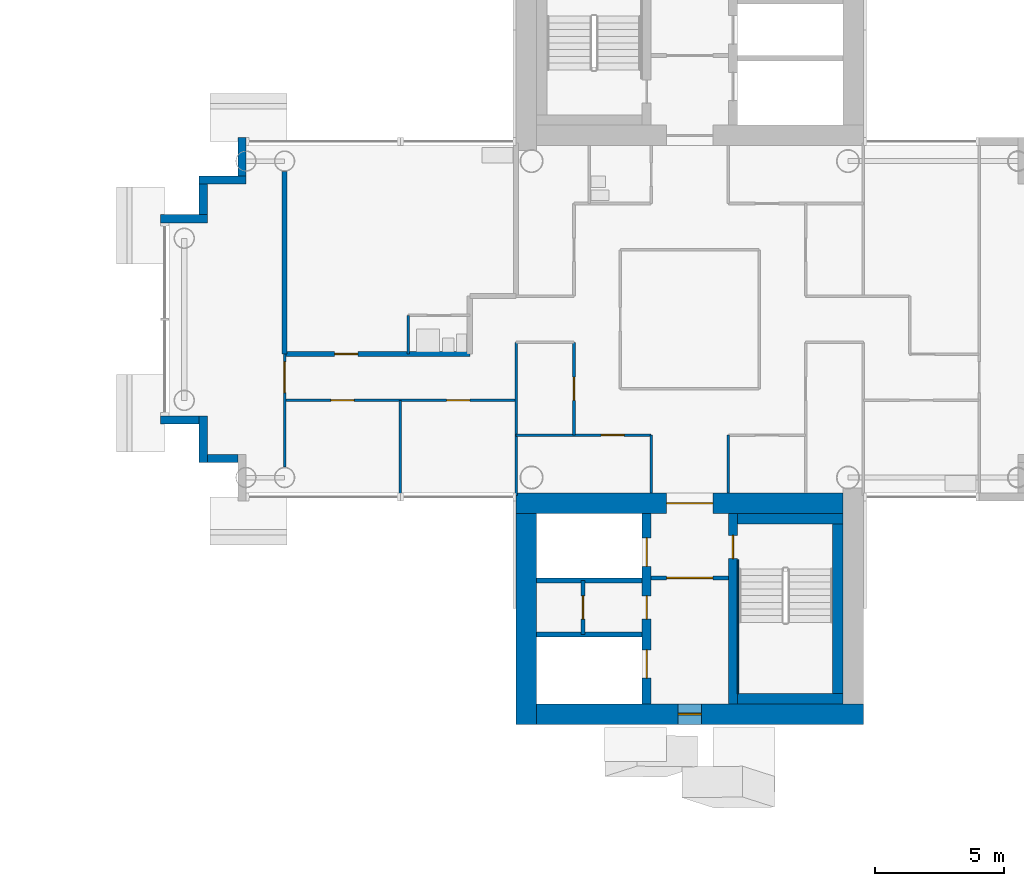
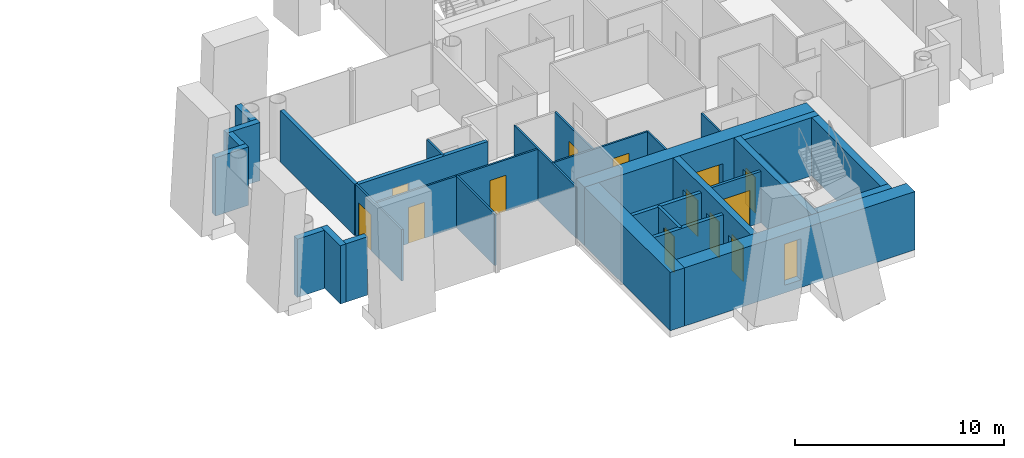
# One storey, part 9 of 18: 31 walls, 13 doors, 1 window, 14 openings.
"""IFC4 building model written with IfcOpenShell, lengths in metres."""

from ifc_helpers import new_model, si_unit, direction, frame, frame_2d, origin, place, context, subcontext, project, spatial, rectangle, extrude, material, layer, layer_set, type_object, element, fill, save


model = new_model("IFC4")

# Units and contexts
model_context = context("Model", 3, precision=1e-05, world=origin(), true_north=direction((0.0, 1.0)))
body_context = subcontext(model_context, "Body", "Model", "MODEL_VIEW")
ifc_project = project(units=[si_unit("LENGTHUNIT", "METRE"), si_unit("AREAUNIT", "SQUARE_METRE"), si_unit("VOLUMEUNIT", "CUBIC_METRE"), si_unit("PLANEANGLEUNIT", "RADIAN"), si_unit("MASSUNIT", "GRAM", prefix="KILO")], contexts=[model_context])

# Site, building, storey
site_placement = place(None, origin())
site = spatial("IfcSite", under=ifc_project, at=site_placement, CompositionType="ELEMENT")
building_placement = place(site_placement, origin())
building = spatial("IfcBuilding", under=site, at=building_placement, Name="Ipe Terrace Towers", CompositionType="ELEMENT")
storey_placement = place(building_placement, frame((0.0, 0.0, 143.89990234375)))
storey = spatial("IfcBuildingStorey", under=building, at=storey_placement, Name="L39", CompositionType="ELEMENT", Elevation=143.89990234375)

# Walls
ifc_material_1 = material(Name="Concrete C40/50 with buff precast cladding", Category="concrete")
ifc_layer_1 = layer(ifc_material_1, 0.320068359375)
ifc_layer_set_1 = layer_set([ifc_layer_1], Name="BUFF CLADDING WALL 320")
wall_type_1 = type_object("IfcWallType", Name="BUFF CLADDING WALL 320", PredefinedType="STANDARD", material=ifc_layer_set_1)
wall_1_placement = place(storey_placement, frame((18.590087890625, 7.070068359375, -0.2998046875), z_axis=(0.0, 0.0, 1.0), x_axis=(0.0, -1.0, 0.0)))
element("IfcWall", 1, at=wall_1_placement, inside=storey, type_object=wall_type_1, Name="T2-W-L39-30a wall", PredefinedType="STANDARD", context=body_context, shape_type="SweptSolid", body=[
    extrude(rectangle(XDim=1.5, YDim=0.320068359375, at=frame_2d((0.75, 0.0))), origin(), (0.0, 0.0, 1.0), 3.39990234375),
])
wall_2_placement = place(storey_placement, frame((18.75, 5.409912109375, -0.2998046875), z_axis=(0.0, 0.0, 1.0), x_axis=(-1.0, 0.0, 0.0)))
element("IfcWall", 2, at=wall_2_placement, inside=storey, type_object=wall_type_1, Name="T2-W-L39-31a wall", PredefinedType="STANDARD", context=body_context, shape_type="SweptSolid", body=[
    extrude(rectangle(XDim=1.820068359375, YDim=0.320068359375, at=frame_2d((0.91015625, 0.0))), origin(), (0.0, 0.0, 1.0), 3.39990234375),
])
wall_3_placement = place(storey_placement, frame((17.090087890625, 5.25, -0.2998046875), z_axis=(0.0, 0.0, 1.0), x_axis=(0.0, -1.0, 0.0)))
element("IfcWall", 3, at=wall_3_placement, inside=storey, type_object=wall_type_1, Name="T2-W-L39-32a wall", PredefinedType="STANDARD", context=body_context, shape_type="SweptSolid", body=[
    extrude(rectangle(XDim=1.179931640625, YDim=0.320068359375, at=frame_2d((0.58984375, 0.0))), origin(), (0.0, 0.0, 1.0), 3.39990234375),
])
wall_4_placement = place(storey_placement, frame((17.25, 3.909912109375, -0.2998046875), z_axis=(0.0, 0.0, 1.0), x_axis=(-1.0, 0.0, 0.0)))
element("IfcWall", 4, at=wall_4_placement, inside=storey, type_object=wall_type_1, Name="T2-W-L39-33a wall", PredefinedType="STANDARD", context=body_context, shape_type="SweptSolid", body=[
    extrude(rectangle(XDim=1.820068359375, YDim=0.320068359375, at=frame_2d((0.91015625, 0.0))), origin(), (0.0, 0.0, 1.0), 3.39990234375),
])
wall_5_placement = place(storey_placement, frame((15.429931640625, -3.909912109375, -0.2998046875), z_axis=(0.0, 0.0, 1.0), x_axis=(1.0, 0.0, 0.0)))
element("IfcWall", 5, at=wall_5_placement, inside=storey, type_object=wall_type_1, Name="T2-W-L39-35a wall", PredefinedType="STANDARD", context=body_context, shape_type="SweptSolid", body=[
    extrude(rectangle(XDim=1.5, YDim=0.320068359375, at=frame_2d((0.75, 0.0))), origin(), (0.0, 0.0, 1.0), 3.39990234375),
])
wall_6_placement = place(storey_placement, frame((17.090087890625, -3.75, -0.2998046875), z_axis=(0.0, 0.0, 1.0), x_axis=(0.0, -1.0, 0.0)))
element("IfcWall", 6, at=wall_6_placement, inside=storey, type_object=wall_type_1, Name="T2-W-L39-36a wall", PredefinedType="STANDARD", context=body_context, shape_type="SweptSolid", body=[
    extrude(rectangle(XDim=1.820068359375, YDim=0.320068359375, at=frame_2d((0.91015625, 0.0))), origin(), (0.0, 0.0, 1.0), 3.39990234375),
])
wall_7_placement = place(storey_placement, frame((17.25, -5.409912109375, -0.2998046875), z_axis=(0.0, 0.0, 1.0), x_axis=(1.0, 0.0, 0.0)))
element("IfcWall", 7, at=wall_7_placement, inside=storey, type_object=wall_type_1, Name="T2-W-L39-37a wall", PredefinedType="STANDARD", context=body_context, shape_type="SweptSolid", body=[
    extrude(rectangle(XDim=1.179931640625, YDim=0.320068359375, at=frame_2d((0.58984375, 0.0))), origin(), (0.0, 0.0, 1.0), 3.39990234375),
])

# Wall, opening, door
ifc_material_2 = material(Name="Gypsum board partition", Category="plasterboard")
ifc_layer_2 = layer(ifc_material_2, 0.10009765625)
ifc_layer_set_2 = layer_set([ifc_layer_2], Name="Gypsum board partition 100 mm")
wall_type_2 = type_object("IfcWallType", Name="Gypsum board partition 100 mm", PredefinedType="PARTITIONING", material=ifc_layer_set_2)
wall_8_placement = place(storey_placement, frame((34.5, -4.5, 0.0), z_axis=(0.0, 0.0, 1.0), x_axis=(-1.0, 0.0, 0.0)))
wall_8 = element("IfcWall", 8, at=wall_8_placement, inside=storey, type_object=wall_type_2, Name="Gypsum board partition T2 L39 W02", PredefinedType="PARTITIONING", context=body_context, shape_type="SweptSolid", body=[
    extrude(rectangle(XDim=5.25, YDim=0.10009765625, at=frame_2d((2.625, 0.0))), origin(), (0.0, 0.0, 1.0), 3.0),
])
opening_1_placement = place(wall_8_placement, frame((1.050048828125, 0.0, 0.0)))
opening_1 = element("IfcOpeningElement", 9, at=opening_1_placement, cuts=wall_8, Name="Opening T2-Z3B-05", PredefinedType="OPENING", context=body_context, shape_type="SweptSolid", body=[
    extrude(rectangle(XDim=0.89990234375, YDim=2.10009765625, at=frame_2d((0.449951171875, 1.050048828125))), frame((0.0, 0.06005859375, 0.0), z_axis=(0.0, -1.0, 0.0), x_axis=(1.0, 0.0, 0.0)), (0.0, 0.0, 1.0), 0.1201171875),
])
ifc_material_3 = material(Name="Timber door leaf", Category="wood")
door_type_1 = type_object("IfcDoorType", Name="Lounge door 900 x 2100", OperationType="NOTDEFINED", PredefinedType="DOOR", material=ifc_material_3)
door_1_placement = place(opening_1_placement, origin())
door_1 = element("IfcDoor", 10, at=door_1_placement, inside=storey, type_object=door_type_1, Name="Lounge door T2-Z3B-05", OperationType="SINGLE_SWING_RIGHT", OverallHeight=2.10009765625, OverallWidth=0.89990234375, PredefinedType="DOOR", context=body_context, shape_type="SweptSolid", body=[
    extrude(rectangle(XDim=0.89990234375, YDim=2.10009765625, at=frame_2d((0.449951171875, 1.050048828125))), frame((0.0, 0.02490234375, 0.0), z_axis=(0.0, -1.0, 0.0), x_axis=(1.0, 0.0, 0.0)), (0.0, 0.0, 1.0), 0.050048828125),
])
fill(opening_1, door_1)

# Wall, openings, doors
wall_9_placement = place(storey_placement, frame((29.25, -3.14990234375, 0.0), z_axis=(0.0, 0.0, 1.0), x_axis=(-1.0, 0.0, 0.0)))
wall_9 = element("IfcWall", 11, at=wall_9_placement, inside=storey, type_object=wall_type_2, Name="Gypsum board partition T2 L39 W04", PredefinedType="PARTITIONING", context=body_context, shape_type="SweptSolid", body=[
    extrude(rectangle(XDim=9.0, YDim=0.10009765625, at=frame_2d((4.5, 0.0))), origin(), (0.0, 0.0, 1.0), 3.0),
])
opening_2_placement = place(wall_9_placement, frame((1.800048828125, 0.0, 0.0)))
opening_2 = element("IfcOpeningElement", 12, at=opening_2_placement, cuts=wall_9, Name="Opening T2-Z3B-10", PredefinedType="OPENING", context=body_context, shape_type="SweptSolid", body=[
    extrude(rectangle(XDim=0.89990234375, YDim=2.10009765625, at=frame_2d((0.449951171875, 1.050048828125))), frame((0.0, 0.06005859375, 0.0), z_axis=(0.0, -1.0, 0.0), x_axis=(1.0, 0.0, 0.0)), (0.0, 0.0, 1.0), 0.1201171875),
])
opening_3_placement = place(wall_9_placement, frame((6.300048828125, 0.0, 0.0)))
opening_3 = element("IfcOpeningElement", 13, at=opening_3_placement, cuts=wall_9, Name="Opening T2-Z3B-11", PredefinedType="OPENING", context=body_context, shape_type="SweptSolid", body=[
    extrude(rectangle(XDim=0.89990234375, YDim=2.10009765625, at=frame_2d((0.449951171875, 1.050048828125))), frame((0.0, 0.06005859375, 0.0), z_axis=(0.0, -1.0, 0.0), x_axis=(1.0, 0.0, 0.0)), (0.0, 0.0, 1.0), 0.1201171875),
])
door_2_placement = place(opening_2_placement, origin())
door_2 = element("IfcDoor", 14, at=door_2_placement, inside=storey, type_object=door_type_1, Name="Lounge door T2-Z3B-10", OperationType="SINGLE_SWING_RIGHT", OverallHeight=2.10009765625, OverallWidth=0.89990234375, PredefinedType="DOOR", context=body_context, shape_type="SweptSolid", body=[
    extrude(rectangle(XDim=0.89990234375, YDim=2.10009765625, at=frame_2d((0.449951171875, 1.050048828125))), frame((0.0, 0.02490234375, 0.0), z_axis=(0.0, -1.0, 0.0), x_axis=(1.0, 0.0, 0.0)), (0.0, 0.0, 1.0), 0.050048828125),
])
fill(opening_2, door_2)
door_3_placement = place(opening_3_placement, origin())
door_3 = element("IfcDoor", 15, at=door_3_placement, inside=storey, type_object=door_type_1, Name="Lounge door T2-Z3B-11", OperationType="SINGLE_SWING_LEFT", OverallHeight=2.10009765625, OverallWidth=0.89990234375, PredefinedType="DOOR", context=body_context, shape_type="SweptSolid", body=[
    extrude(rectangle(XDim=0.89990234375, YDim=2.10009765625, at=frame_2d((0.449951171875, 1.050048828125))), frame((0.0, 0.02490234375, 0.0), z_axis=(0.0, -1.0, 0.0), x_axis=(1.0, 0.0, 0.0)), (0.0, 0.0, 1.0), 0.050048828125),
])
fill(opening_3, door_3)

# Walls
for number, where, z_axis, x_axis, name in (
    (16, (37.5, -6.75, 0.0), (0.0, 0.0, 1.0), (0.0, 1.0, 0.0), "Gypsum board partition T2 L39 W28"),
    (17, (34.5, -6.75, 0.0), (0.0, 0.0, 1.0), (0.0, 1.0, 0.0), "Gypsum board partition T2 L39 W32"),
):
    element("IfcWall", number, at=place(storey_placement, frame(where, z_axis=z_axis, x_axis=x_axis)), inside=storey, type_object=wall_type_2, Name=name, PredefinedType="PARTITIONING", context=body_context, shape_type="SweptSolid", body=[
        extrude(rectangle(XDim=2.25, YDim=0.10009765625, at=frame_2d((1.125, 0.0))), origin(), (0.0, 0.0, 1.0), 3.0),
    ])

# Wall, opening, door
wall_10_placement = place(storey_placement, frame((31.5, -4.5, 0.0), z_axis=(0.0, 0.0, 1.0), x_axis=(0.0, 1.0, 0.0)))
wall_10 = element("IfcWall", 18, at=wall_10_placement, inside=storey, type_object=wall_type_2, Name="Gypsum board partition T2 L39 W39", PredefinedType="PARTITIONING", context=body_context, shape_type="SweptSolid", body=[
    extrude(rectangle(XDim=3.60009765625, YDim=0.10009765625, at=frame_2d((1.800048828125, 0.0))), origin(), (0.0, 0.0, 1.0), 3.0),
])
opening_4_placement = place(wall_10_placement, frame((1.35009765625, 0.0, 0.0)))
opening_4 = element("IfcOpeningElement", 19, at=opening_4_placement, cuts=wall_10, Name="Opening T2-Z3B-04", PredefinedType="OPENING", context=body_context, shape_type="SweptSolid", body=[
    extrude(rectangle(XDim=0.89990234375, YDim=2.10009765625, at=frame_2d((0.449951171875, 1.050048828125))), frame((0.0, 0.06005859375, 0.0), z_axis=(0.0, -1.0, 0.0), x_axis=(1.0, 0.0, 0.0)), (0.0, 0.0, 1.0), 0.1201171875),
])
door_4_placement = place(opening_4_placement, origin())
door_4 = element("IfcDoor", 20, at=door_4_placement, inside=storey, type_object=door_type_1, Name="Lounge door T2-Z3B-04", OperationType="SINGLE_SWING_RIGHT", OverallHeight=2.10009765625, OverallWidth=0.89990234375, PredefinedType="DOOR", context=body_context, shape_type="SweptSolid", body=[
    extrude(rectangle(XDim=0.89990234375, YDim=2.10009765625, at=frame_2d((0.449951171875, 1.050048828125))), frame((0.0, 0.02490234375, 0.0), z_axis=(0.0, -1.0, 0.0), x_axis=(1.0, 0.0, 0.0)), (0.0, 0.0, 1.0), 0.050048828125),
])
fill(opening_4, door_4)

# Walls
wall_11_placement = place(storey_placement, frame((29.25, -6.85009765625, 0.0), z_axis=(0.0, 0.0, 1.0), x_axis=(0.0, 1.0, 0.0)))
element("IfcWall", 21, at=wall_11_placement, inside=storey, type_object=wall_type_2, Name="Gypsum board partition T2 L39 W41", PredefinedType="PARTITIONING", context=body_context, shape_type="SweptSolid", body=[
    extrude(rectangle(XDim=5.9501953125, YDim=0.10009765625, at=frame_2d((2.97509765625, 0.0))), origin(), (0.0, 0.0, 1.0), 3.0),
])
wall_12_placement = place(storey_placement, frame((25.050048828125, -1.35009765625, 0.0), z_axis=(0.0, 0.0, 1.0), x_axis=(0.0, 1.0, 0.0)))
element("IfcWall", 22, at=wall_12_placement, inside=storey, type_object=wall_type_2, Name="Gypsum board partition T2 L39 W44", PredefinedType="PARTITIONING", context=body_context, shape_type="SweptSolid", body=[
    extrude(rectangle(XDim=1.5, YDim=0.10009765625, at=frame_2d((0.75, 0.0))), origin(), (0.0, 0.0, 1.0), 3.0),
])
wall_13_placement = place(storey_placement, frame((24.75, -6.85009765625, 0.0), z_axis=(0.0, 0.0, 1.0), x_axis=(0.0, 1.0, 0.0)))
element("IfcWall", 23, at=wall_13_placement, inside=storey, type_object=wall_type_2, Name="Gypsum board partition T2 L39 W45", PredefinedType="PARTITIONING", context=body_context, shape_type="SweptSolid", body=[
    extrude(rectangle(XDim=3.7001953125, YDim=0.10009765625, at=frame_2d((1.85009765625, 0.0))), origin(), (0.0, 0.0, 1.0), 3.0),
])

# Wall, opening, door
wall_14_placement = place(storey_placement, frame((20.25, -5.75, 0.0), z_axis=(0.0, 0.0, 1.0), x_axis=(0.0, 1.0, 0.0)))
wall_14 = element("IfcWall", 24, at=wall_14_placement, inside=storey, type_object=wall_type_2, Name="Gypsum board partition T2 L39 W46", PredefinedType="PARTITIONING", context=body_context, shape_type="SweptSolid", body=[
    extrude(rectangle(XDim=4.39990234375, YDim=0.10009765625, at=frame_2d((2.199951171875, 0.0))), origin(), (0.0, 0.0, 1.0), 3.0),
])
opening_5_placement = place(wall_14_placement, frame((2.89990234375, 0.0, 0.0)))
opening_5 = element("IfcOpeningElement", 25, at=opening_5_placement, cuts=wall_14, Name="Opening T2-Z3B-14", PredefinedType="OPENING", context=body_context, shape_type="SweptSolid", body=[
    extrude(rectangle(XDim=1.199951171875, YDim=2.10009765625, at=frame_2d((0.60009765625, 1.050048828125))), frame((0.0, 0.06005859375, 0.0), z_axis=(0.0, -1.0, 0.0), x_axis=(1.0, 0.0, 0.0)), (0.0, 0.0, 1.0), 0.1201171875),
])
ifc_material_4 = material(Name="Timber door leaf", Category="wood")
door_type_2 = type_object("IfcDoorType", Name="Lounge door 1200 x 2100", OperationType="NOTDEFINED", PredefinedType="DOOR", material=ifc_material_4)
door_5_placement = place(opening_5_placement, origin())
door_5 = element("IfcDoor", 26, at=door_5_placement, inside=storey, type_object=door_type_2, Name="Lounge door T2-Z3B-14", OperationType="SINGLE_SWING_LEFT", OverallHeight=2.10009765625, OverallWidth=1.199951171875, PredefinedType="DOOR", context=body_context, shape_type="SweptSolid", body=[
    extrude(rectangle(XDim=1.199951171875, YDim=2.10009765625, at=frame_2d((0.60009765625, 1.050048828125))), frame((0.0, 0.02490234375, 0.0), z_axis=(0.0, -1.0, 0.0), x_axis=(1.0, 0.0, 0.0)), (0.0, 0.0, 1.0), 0.050048828125),
])
fill(opening_5, door_5)

ifc_material_5 = material(Name="Gypsum board partition", Category="plasterboard")
ifc_layer_3 = layer(ifc_material_5, 0.14990234375)
ifc_layer_set_3 = layer_set([ifc_layer_3], Name="Gypsum board partition 150 mm")
wall_type_3 = type_object("IfcWallType", Name="Gypsum board partition 150 mm", PredefinedType="PARTITIONING", material=ifc_layer_set_3)
wall_15_placement = place(storey_placement, frame((34.5, -10.050048828125, 0.0), z_axis=(0.0, 0.0, 1.0), x_axis=(1.0, 0.0, 0.0)))
wall_15 = element("IfcWall", 27, at=wall_15_placement, inside=storey, type_object=wall_type_3, Name="Gypsum board partition T2 L39 t2c2-lobby-wall", PredefinedType="PARTITIONING", context=body_context, shape_type="SweptSolid", body=[
    extrude(rectangle(XDim=3.0, YDim=0.14990234375, at=frame_2d((1.5, 0.0))), origin(), (0.0, 0.0, 1.0), 3.0),
])
opening_6_placement = place(wall_15_placement, frame((0.60009765625, 0.0, 0.0)))
opening_6 = element("IfcOpeningElement", 28, at=opening_6_placement, cuts=wall_15, Name="Opening T2C2-VD", PredefinedType="OPENING", context=body_context, shape_type="SweptSolid", body=[
    extrude(rectangle(XDim=1.800048828125, YDim=2.10009765625, at=frame_2d((0.89990234375, 1.050048828125))), frame((0.0, 0.0849609375, 0.0), z_axis=(0.0, -1.0, 0.0), x_axis=(1.0, 0.0, 0.0)), (0.0, 0.0, 1.0), 0.169921875),
])
ifc_material_6 = material(Name="Fire-rated timber door leaf", Category="wood")
door_type_3 = type_object("IfcDoorType", Name="Lobby door 1800 x 2100 FD60", OperationType="NOTDEFINED", PredefinedType="DOOR", material=ifc_material_6)
door_6_placement = place(opening_6_placement, origin())
door_6 = element("IfcDoor", 29, at=door_6_placement, inside=storey, type_object=door_type_3, Name="Lobby door T2C2-VD", OperationType="SINGLE_SWING_LEFT", OverallHeight=2.10009765625, OverallWidth=1.800048828125, PredefinedType="DOOR", context=body_context, shape_type="SweptSolid", body=[
    extrude(rectangle(XDim=1.800048828125, YDim=2.10009765625, at=frame_2d((0.89990234375, 1.050048828125))), frame((0.0, 0.02490234375, 0.0), z_axis=(0.0, -1.0, 0.0), x_axis=(1.0, 0.0, 0.0)), (0.0, 0.0, 1.0), 0.050048828125),
])
fill(opening_6, door_6)

wall_16_placement = place(storey_placement, frame((31.85009765625, -10.14990234375, 0.0), z_axis=(0.0, 0.0, 1.0), x_axis=(0.0, -1.0, 0.0)))
wall_16 = element("IfcWall", 30, at=wall_16_placement, inside=storey, type_object=wall_type_3, Name="Gypsum board partition T2 L39 t2c2-q-back", PredefinedType="PARTITIONING", context=body_context, shape_type="SweptSolid", body=[
    extrude(rectangle(XDim=2.10009765625, YDim=0.14990234375, at=frame_2d((1.050048828125, 0.0))), origin(), (0.0, 0.0, 1.0), 3.0),
])
opening_7_placement = place(wall_16_placement, frame((0.60009765625, 0.0, 0.0)))
opening_7 = element("IfcOpeningElement", 31, at=opening_7_placement, cuts=wall_16, Name="Opening T2C2-RB-FD30S", PredefinedType="OPENING", context=body_context, shape_type="SweptSolid", body=[
    extrude(rectangle(XDim=0.89990234375, YDim=2.10009765625, at=frame_2d((0.449951171875, 1.050048828125))), frame((0.0, 0.0849609375, 0.0), z_axis=(0.0, -1.0, 0.0), x_axis=(1.0, 0.0, 0.0)), (0.0, 0.0, 1.0), 0.169921875),
])
ifc_material_7 = material(Name="Fire-rated timber door leaf", Category="wood")
door_type_4 = type_object("IfcDoorType", Name="Service door 900 x 2100 FD30S", OperationType="NOTDEFINED", PredefinedType="DOOR", material=ifc_material_7)
door_7_placement = place(opening_7_placement, origin())
door_7 = element("IfcDoor", 32, at=door_7_placement, inside=storey, type_object=door_type_4, Name="Service door T2C2-RB-FD30S", OperationType="SINGLE_SWING_LEFT", OverallHeight=2.10009765625, OverallWidth=0.89990234375, PredefinedType="DOOR", context=body_context, shape_type="SweptSolid", body=[
    extrude(rectangle(XDim=0.89990234375, YDim=2.10009765625, at=frame_2d((0.449951171875, 1.050048828125))), frame((0.0, 0.02490234375, 0.0), z_axis=(0.0, -1.0, 0.0), x_axis=(1.0, 0.0, 0.0)), (0.0, 0.0, 1.0), 0.050048828125),
])
fill(opening_7, door_7)

# Walls
ifc_material_8 = material(Name="Gypsum board party wall", Category="plasterboard")
ifc_layer_4 = layer(ifc_material_8, 0.199951171875)
ifc_layer_set_4 = layer_set([ifc_layer_4], Name="Gypsum board party wall 200 mm")
wall_type_4 = type_object("IfcWallType", Name="Gypsum board party wall 200 mm", PredefinedType="SOLIDWALL", material=ifc_layer_set_4)
for number, where, z_axis, x_axis, name in (
    (33, (30.050048828125, -12.25, 0.0), (0.0, 0.0, 1.0), (1.0, 0.0, 0.0), "Gypsum board party wall T2 L39 t2c2-shaft-div2"),
    (34, (30.050048828125, -10.14990234375, 0.0), (0.0, 0.0, 1.0), (1.0, 0.0, 0.0), "Gypsum board party wall T2 L39 t2c2-shaft-div1"),
):
    element("IfcWall", number, at=place(storey_placement, frame(where, z_axis=z_axis, x_axis=x_axis)), inside=storey, type_object=wall_type_4, Name=name, PredefinedType="SOLIDWALL", context=body_context, shape_type="SweptSolid", body=[
        extrude(rectangle(XDim=4.099853515625, YDim=0.199951171875, at=frame_2d((2.0498046875, 0.0))), origin(), (0.0, 0.0, 1.0), 3.0),
    ])

# Wall, opening, door
wall_17_placement = place(storey_placement, frame((27.449951171875, -1.35009765625, 0.0), z_axis=(0.0, 0.0, 1.0), x_axis=(-1.0, 0.0, 0.0)))
wall_17 = element("IfcWall", 35, at=wall_17_placement, inside=storey, type_object=wall_type_4, Name="Gypsum board party wall T2 L39 W07", PredefinedType="SOLIDWALL", context=body_context, shape_type="SweptSolid", body=[
    extrude(rectangle(XDim=7.199951171875, YDim=0.199951171875, at=frame_2d((3.60009765625, 0.0))), origin(), (0.0, 0.0, 1.0), 3.0),
])
opening_8_placement = place(wall_17_placement, frame((4.35009765625, 0.0, 0.0)))
opening_8 = element("IfcOpeningElement", 36, at=opening_8_placement, cuts=wall_17, Name="Opening T2-Z3B-12", PredefinedType="OPENING", context=body_context, shape_type="SweptSolid", body=[
    extrude(rectangle(XDim=0.89990234375, YDim=2.10009765625, at=frame_2d((0.449951171875, 1.050048828125))), frame((0.0, 0.10986328125, 0.0), z_axis=(0.0, -1.0, 0.0), x_axis=(1.0, 0.0, 0.0)), (0.0, 0.0, 1.0), 0.219970703125),
])
ifc_material_9 = material(Name="Fire-rated timber door leaf", Category="wood")
door_type_5 = type_object("IfcDoorType", Name="Flat entrance door 900 x 2100 FD30S", OperationType="NOTDEFINED", PredefinedType="DOOR", material=ifc_material_9)
door_8_placement = place(opening_8_placement, origin())
door_8 = element("IfcDoor", 37, at=door_8_placement, inside=storey, type_object=door_type_5, Name="Flat entrance door T2-Z3B-12", OperationType="SINGLE_SWING_RIGHT", OverallHeight=2.10009765625, OverallWidth=0.89990234375, PredefinedType="DOOR", context=body_context, shape_type="SweptSolid", body=[
    extrude(rectangle(XDim=0.89990234375, YDim=2.10009765625, at=frame_2d((0.449951171875, 1.050048828125))), frame((0.0, 0.02490234375, 0.0), z_axis=(0.0, -1.0, 0.0), x_axis=(1.0, 0.0, 0.0)), (0.0, 0.0, 1.0), 0.050048828125),
])
fill(opening_8, door_8)

# Wall
wall_18_placement = place(storey_placement, frame((20.25, -1.35009765625, 0.0), z_axis=(0.0, 0.0, 1.0), x_axis=(0.0, 1.0, 0.0)))
element("IfcWall", 38, at=wall_18_placement, inside=storey, type_object=wall_type_4, Name="Gypsum board party wall T2 L39 W47", PredefinedType="SOLIDWALL", context=body_context, shape_type="SweptSolid", body=[
    extrude(rectangle(XDim=7.10009765625, YDim=0.199951171875, at=frame_2d((3.550048828125, 0.0))), origin(), (0.0, 0.0, 1.0), 3.0),
])

# Wall, openings, doors
ifc_material_10 = material(Name="Concrete C50/60", Category="concrete")
ifc_layer_5 = layer(ifc_material_10, 0.35009765625)
ifc_layer_set_5 = layer_set([ifc_layer_5], Name="RW350 CORE SPINE WALL 350 C50-60")
wall_type_5 = type_object("IfcWallType", Name="RW350 CORE SPINE WALL 350 C50-60", PredefinedType="SHEAR", material=ifc_layer_set_5)
wall_19_placement = place(storey_placement, frame((34.324951171875, -14.949951171875, 0.0), z_axis=(0.0, 0.0, 1.0), x_axis=(0.0, 1.0, 0.0)))
wall_19 = element("IfcWall", 39, at=wall_19_placement, inside=storey, type_object=wall_type_5, Name="Core spine wall T2-C2-Z3-SW1", PredefinedType="SHEAR", context=body_context, shape_type="SweptSolid", body=[
    extrude(rectangle(XDim=7.39990234375, YDim=0.35009765625, at=frame_2d((3.699951171875, 0.0))), origin(), (0.0, 0.0, 1.0), 3.400146484375),
])
opening_9_placement = place(wall_19_placement, frame((5.35009765625, 0.0, 0.0)))
opening_9 = element("IfcOpeningElement", 40, at=opening_9_placement, cuts=wall_19, Name="Opening T2C2-LD1", PredefinedType="OPENING", context=body_context, shape_type="SweptSolid", body=[
    extrude(rectangle(XDim=1.10009765625, YDim=2.10009765625, at=frame_2d((0.550048828125, 1.050048828125))), frame((0.0, 0.18505859375, 0.0), z_axis=(0.0, -1.0, 0.0), x_axis=(1.0, 0.0, 0.0)), (0.0, 0.0, 1.0), 0.3701171875),
])
opening_10_placement = place(wall_19_placement, frame((1.0, 0.0, 0.0)))
opening_10 = element("IfcOpeningElement", 41, at=opening_10_placement, cuts=wall_19, Name="Opening T2C2-LD3", PredefinedType="OPENING", context=body_context, shape_type="SweptSolid", body=[
    extrude(rectangle(XDim=1.10009765625, YDim=2.10009765625, at=frame_2d((0.550048828125, 1.050048828125))), frame((0.0, 0.18505859375, 0.0), z_axis=(0.0, -1.0, 0.0), x_axis=(1.0, 0.0, 0.0)), (0.0, 0.0, 1.0), 0.3701171875),
])
opening_11_placement = place(wall_19_placement, frame((3.300048828125, 0.0, 0.0)))
opening_11 = element("IfcOpeningElement", 42, at=opening_11_placement, cuts=wall_19, Name="Opening T2C2-R1", PredefinedType="OPENING", context=body_context, shape_type="SweptSolid", body=[
    extrude(rectangle(XDim=0.89990234375, YDim=2.10009765625, at=frame_2d((0.449951171875, 1.050048828125))), frame((0.0, 0.18505859375, 0.0), z_axis=(0.0, -1.0, 0.0), x_axis=(1.0, 0.0, 0.0)), (0.0, 0.0, 1.0), 0.3701171875),
])
ifc_material_11 = material(Name="Fire-rated timber door leaf", Category="wood")
door_type_6 = type_object("IfcDoorType", Name="Sliding door 1100 x 2100 FD60", OperationType="SLIDING_TO_LEFT", PredefinedType="DOOR", material=ifc_material_11)
door_9_placement = place(opening_9_placement, origin())
door_9 = element("IfcDoor", 43, at=door_9_placement, inside=storey, type_object=door_type_6, Name="Sliding door T2C2-LD1", OperationType="SLIDING_TO_LEFT", OverallHeight=2.10009765625, OverallWidth=1.10009765625, PredefinedType="DOOR", context=body_context, shape_type="SweptSolid", body=[
    extrude(rectangle(XDim=1.10009765625, YDim=2.10009765625, at=frame_2d((0.550048828125, 1.050048828125))), frame((0.0, 0.02490234375, 0.0), z_axis=(0.0, -1.0, 0.0), x_axis=(1.0, 0.0, 0.0)), (0.0, 0.0, 1.0), 0.050048828125),
])
fill(opening_9, door_9)
door_10_placement = place(opening_10_placement, origin())
door_10 = element("IfcDoor", 44, at=door_10_placement, inside=storey, type_object=door_type_6, Name="Sliding door T2C2-LD3", OperationType="SLIDING_TO_LEFT", OverallHeight=2.10009765625, OverallWidth=1.10009765625, PredefinedType="DOOR", context=body_context, shape_type="SweptSolid", body=[
    extrude(rectangle(XDim=1.10009765625, YDim=2.10009765625, at=frame_2d((0.550048828125, 1.050048828125))), frame((0.0, 0.02490234375, 0.0), z_axis=(0.0, -1.0, 0.0), x_axis=(1.0, 0.0, 0.0)), (0.0, 0.0, 1.0), 0.050048828125),
])
fill(opening_10, door_10)
ifc_material_12 = material(Name="Timber door leaf", Category="wood")
door_type_7 = type_object("IfcDoorType", Name="Store door 900 x 2100", OperationType="NOTDEFINED", PredefinedType="DOOR", material=ifc_material_12)
door_11_placement = place(opening_11_placement, origin())
door_11 = element("IfcDoor", 45, at=door_11_placement, inside=storey, type_object=door_type_7, Name="Store door T2C2-R1", OperationType="SINGLE_SWING_LEFT", OverallHeight=2.10009765625, OverallWidth=0.89990234375, PredefinedType="DOOR", context=body_context, shape_type="SweptSolid", body=[
    extrude(rectangle(XDim=0.89990234375, YDim=2.10009765625, at=frame_2d((0.449951171875, 1.050048828125))), frame((0.0, 0.02490234375, 0.0), z_axis=(0.0, -1.0, 0.0), x_axis=(1.0, 0.0, 0.0)), (0.0, 0.0, 1.0), 0.050048828125),
])
fill(opening_11, door_11)

# Wall, opening, door
wall_20_placement = place(storey_placement, frame((37.675048828125, -14.949951171875, 0.0), z_axis=(0.0, 0.0, 1.0), x_axis=(0.0, 1.0, 0.0)))
wall_20 = element("IfcWall", 46, at=wall_20_placement, inside=storey, type_object=wall_type_5, Name="Core spine wall T2-C2-Z3-SW2", PredefinedType="SHEAR", context=body_context, shape_type="SweptSolid", body=[
    extrude(rectangle(XDim=7.39990234375, YDim=0.35009765625, at=frame_2d((3.699951171875, 0.0))), origin(), (0.0, 0.0, 1.0), 3.400146484375),
])
opening_12_placement = place(wall_20_placement, frame((5.64990234375, 0.0, 0.0)))
opening_12 = element("IfcOpeningElement", 47, at=opening_12_placement, cuts=wall_20, Name="Opening T2C2-SD", PredefinedType="OPENING", context=body_context, shape_type="SweptSolid", body=[
    extrude(rectangle(XDim=0.89990234375, YDim=2.10009765625, at=frame_2d((0.449951171875, 1.050048828125))), frame((0.0, 0.18505859375, 0.0), z_axis=(0.0, -1.0, 0.0), x_axis=(1.0, 0.0, 0.0)), (0.0, 0.0, 1.0), 0.3701171875),
])
ifc_material_13 = material(Name="Fire-rated timber door leaf", Category="wood")
door_type_8 = type_object("IfcDoorType", Name="Stair door 900 x 2100 FD60", OperationType="NOTDEFINED", PredefinedType="DOOR", material=ifc_material_13)
door_12_placement = place(opening_12_placement, origin())
door_12 = element("IfcDoor", 48, at=door_12_placement, inside=storey, type_object=door_type_8, Name="Stair door T2C2-SD", OperationType="SINGLE_SWING_RIGHT", OverallHeight=2.10009765625, OverallWidth=0.89990234375, PredefinedType="DOOR", context=body_context, shape_type="SweptSolid", body=[
    extrude(rectangle(XDim=0.89990234375, YDim=2.10009765625, at=frame_2d((0.449951171875, 1.050048828125))), frame((0.0, 0.02490234375, 0.0), z_axis=(0.0, -1.0, 0.0), x_axis=(1.0, 0.0, 0.0)), (0.0, 0.0, 1.0), 0.050048828125),
])
fill(opening_12, door_12)

# Walls
ifc_material_14 = material(Name="Concrete C50/60", Category="concrete")
ifc_layer_6 = layer(ifc_material_14, 0.39990234375)
ifc_layer_set_6 = layer_set([ifc_layer_6], Name="RW400 CORE INFILL WALL 400 C50-60")
wall_type_6 = type_object("IfcWallType", Name="RW400 CORE INFILL WALL 400 C50-60", PredefinedType="SHEAR", material=ifc_layer_set_6)
wall_21_placement = place(storey_placement, frame((37.85009765625, -14.75, 0.0), z_axis=(0.0, 0.0, 1.0), x_axis=(1.0, 0.0, 0.0)))
element("IfcWall", 49, at=wall_21_placement, inside=storey, type_object=wall_type_6, Name="Core infill wall T2-C2-far", PredefinedType="SHEAR", context=body_context, shape_type="SweptSolid", body=[
    extrude(rectangle(XDim=4.099853515625, YDim=0.39990234375, at=frame_2d((2.0498046875, 0.0))), origin(), (0.0, 0.0, 1.0), 3.400146484375),
])
wall_22_placement = place(storey_placement, frame((41.75, -7.949951171875, 0.0), z_axis=(0.0, 0.0, 1.0), x_axis=(0.0, -1.0, 0.0)))
element("IfcWall", 50, at=wall_22_placement, inside=storey, type_object=wall_type_6, Name="Core infill wall T2-C2-back", PredefinedType="SHEAR", context=body_context, shape_type="SweptSolid", body=[
    extrude(rectangle(XDim=6.60009765625, YDim=0.39990234375, at=frame_2d((3.300048828125, 0.0))), origin(), (0.0, 0.0, 1.0), 3.400146484375),
])
wall_23_placement = place(storey_placement, frame((37.85009765625, -7.75, 0.0), z_axis=(0.0, 0.0, 1.0), x_axis=(1.0, 0.0, 0.0)))
element("IfcWall", 51, at=wall_23_placement, inside=storey, type_object=wall_type_6, Name="Core infill wall T2-C2-near", PredefinedType="SHEAR", context=body_context, shape_type="SweptSolid", body=[
    extrude(rectangle(XDim=4.099853515625, YDim=0.39990234375, at=frame_2d((2.0498046875, 0.0))), origin(), (0.0, 0.0, 1.0), 3.400146484375),
])
ifc_material_15 = material(Name="Concrete C50/60", Category="concrete")
ifc_layer_7 = layer(ifc_material_15, 0.050048828125)
ifc_layer_set_7 = layer_set([ifc_layer_7], Name="RW50 CORE INFILL WALL 50 C50-60")
wall_type_7 = type_object("IfcWallType", Name="RW50 CORE INFILL WALL 50 C50-60", PredefinedType="SHEAR", material=ifc_layer_set_7)
wall_24_placement = place(storey_placement, frame((37.875, -9.35009765625, 0.0), z_axis=(0.0, 0.0, 1.0), x_axis=(0.0, -1.0, 0.0)))
element("IfcWall", 52, at=wall_24_placement, inside=storey, type_object=wall_type_7, Name="Core infill wall T2-C2-spine-b", PredefinedType="SHEAR", context=body_context, shape_type="SweptSolid", body=[
    extrude(rectangle(XDim=5.199951171875, YDim=0.050048828125, at=frame_2d((2.60009765625, 0.0))), origin(), (0.0, 0.0, 1.0), 3.400146484375),
])

# Wall, opening, window
ifc_material_16 = material(Name="Concrete C50/60", Category="concrete")
ifc_layer_8 = layer(ifc_material_16, 0.800048828125)
ifc_layer_set_8 = layer_set([ifc_layer_8], Name="RW800 CORE WALL 800 C50-60")
wall_type_8 = type_object("IfcWallType", Name="RW800 CORE WALL 800 C50-60", PredefinedType="SHEAR", material=ifc_layer_set_8)
wall_25_placement = place(storey_placement, frame((30.050048828125, -15.35009765625, 0.0), z_axis=(0.0, 0.0, 1.0), x_axis=(1.0, 0.0, 0.0)))
wall_25 = element("IfcWall", 53, at=wall_25_placement, inside=storey, type_object=wall_type_8, Name="Core wall T2-C2-Z3-W01", PredefinedType="SHEAR", context=body_context, shape_type="SweptSolid", body=[
    extrude(rectangle(XDim=12.699951171875, YDim=0.800048828125, at=frame_2d((6.35009765625, 0.0))), origin(), (0.0, 0.0, 1.0), 3.400146484375),
])
opening_13_placement = place(wall_25_placement, frame((5.5, 0.0, 0.449951171875)))
opening_13 = element("IfcOpeningElement", 54, at=opening_13_placement, cuts=wall_25, Name="Opening T2-C2-W-01-L39", PredefinedType="OPENING", context=body_context, shape_type="SweptSolid", body=[
    extrude(rectangle(XDim=0.89990234375, YDim=2.39990234375, at=frame_2d((0.449951171875, 1.199951171875))), frame((0.0, 0.41015625, 0.0), z_axis=(0.0, -1.0, 0.0), x_axis=(1.0, 0.0, 0.0)), (0.0, 0.0, 1.0), 0.820068359375),
])
ifc_material_17 = material(Name="Fire-resistant glazing EI 60", Category="glass")
window_type = type_object("IfcWindowType", Name="CORRIDOR END SLOT WINDOW 900 x 2400 EI 60", PartitioningType="SINGLE_PANEL", PredefinedType="WINDOW", material=ifc_material_17)
window_placement = place(opening_13_placement, origin())
window = element("IfcWindow", 55, at=window_placement, inside=storey, type_object=window_type, Name="W-01 window", OverallHeight=2.39990234375, OverallWidth=0.89990234375, PartitioningType="SINGLE_PANEL", PredefinedType="WINDOW", context=body_context, shape_type="SweptSolid", body=[
    extrude(rectangle(XDim=0.89990234375, YDim=2.39990234375, at=frame_2d((0.449951171875, 1.199951171875))), frame((0.0, 0.030029296875, 0.0), z_axis=(0.0, -1.0, 0.0), x_axis=(1.0, 0.0, 0.0)), (0.0, 0.0, 1.0), 0.06005859375),
])
fill(opening_13, window)

# Wall, opening, door
wall_26_placement = place(storey_placement, frame((41.949951171875, -7.14990234375, 0.0), z_axis=(0.0, 0.0, 1.0), x_axis=(-1.0, 0.0, 0.0)))
wall_26 = element("IfcWall", 56, at=wall_26_placement, inside=storey, type_object=wall_type_8, Name="Core wall T2-C2-Z3-W03", PredefinedType="SHEAR", context=body_context, shape_type="SweptSolid", body=[
    extrude(rectangle(XDim=12.699951171875, YDim=0.800048828125, at=frame_2d((6.35009765625, 0.0))), origin(), (0.0, 0.0, 1.0), 3.400146484375),
])
opening_14_placement = place(wall_26_placement, frame((5.050048828125, 0.0, 0.0)))
opening_14 = element("IfcOpeningElement", 57, at=opening_14_placement, cuts=wall_26, Name="Opening T2C2-ND", PredefinedType="OPENING", context=body_context, shape_type="SweptSolid", body=[
    extrude(rectangle(XDim=1.800048828125, YDim=2.10009765625, at=frame_2d((0.89990234375, 1.050048828125))), frame((0.0, 0.41015625, 0.0), z_axis=(0.0, -1.0, 0.0), x_axis=(1.0, 0.0, 0.0)), (0.0, 0.0, 1.0), 0.820068359375),
])
ifc_material_18 = material(Name="Fire-rated timber door leaf", Category="wood")
door_type_9 = type_object("IfcDoorType", Name="Fire door 1800 x 2100 FD30S", OperationType="NOTDEFINED", PredefinedType="DOOR", material=ifc_material_18)
door_13_placement = place(opening_14_placement, origin())
door_13 = element("IfcDoor", 58, at=door_13_placement, inside=storey, type_object=door_type_9, Name="Fire door T2C2-ND", OperationType="SINGLE_SWING_LEFT", OverallHeight=2.10009765625, OverallWidth=1.800048828125, PredefinedType="DOOR", context=body_context, shape_type="SweptSolid", body=[
    extrude(rectangle(XDim=1.800048828125, YDim=2.10009765625, at=frame_2d((0.89990234375, 1.050048828125))), frame((0.0, 0.02490234375, 0.0), z_axis=(0.0, -1.0, 0.0), x_axis=(1.0, 0.0, 0.0)), (0.0, 0.0, 1.0), 0.050048828125),
])
fill(opening_14, door_13)

# Wall
wall_27_placement = place(storey_placement, frame((29.64990234375, -7.550048828125, 0.0), z_axis=(0.0, 0.0, 1.0), x_axis=(0.0, -1.0, 0.0)))
element("IfcWall", 59, at=wall_27_placement, inside=storey, type_object=wall_type_8, Name="Core wall T2-C2-Z3-W04", PredefinedType="SHEAR", context=body_context, shape_type="SweptSolid", body=[
    extrude(rectangle(XDim=8.199951171875, YDim=0.800048828125, at=frame_2d((4.10009765625, 0.0))), origin(), (0.0, 0.0, 1.0), 3.400146484375),
])

save(model, "model.ifc")
